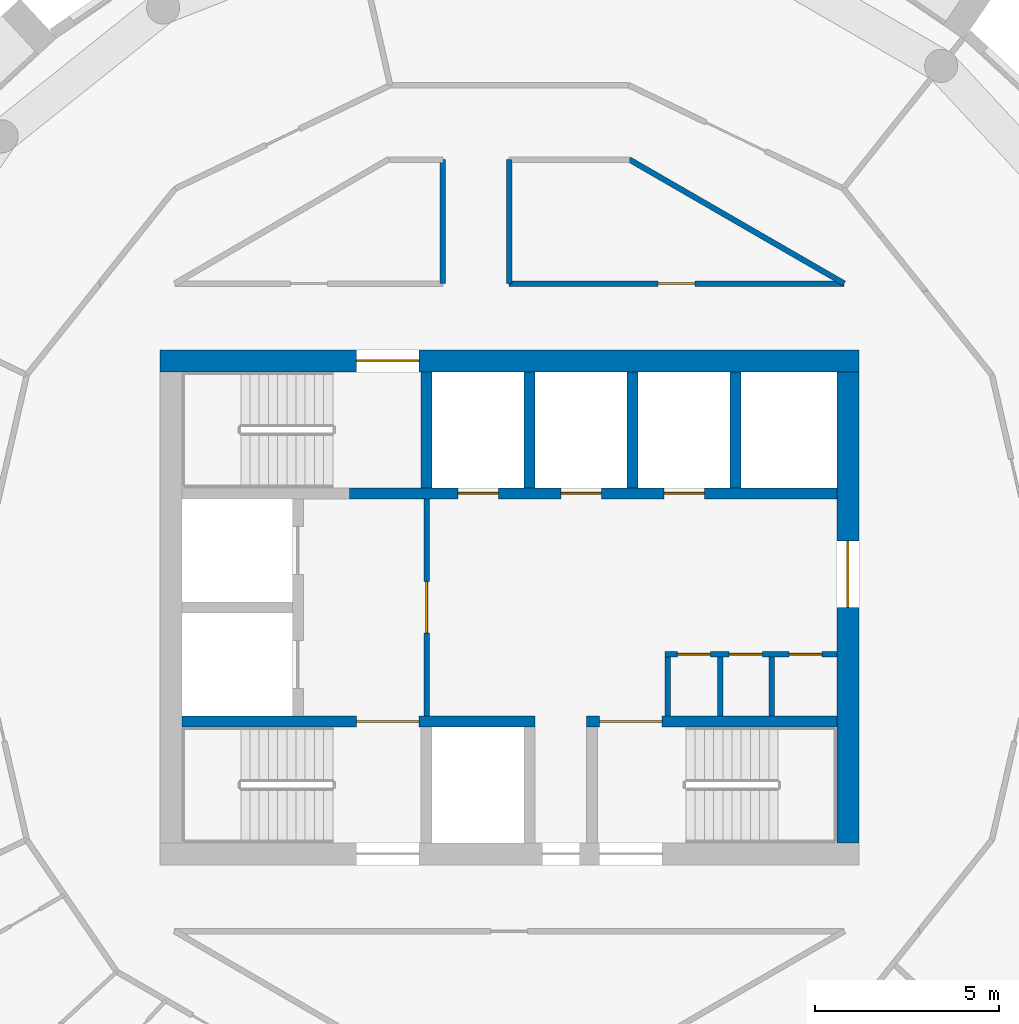
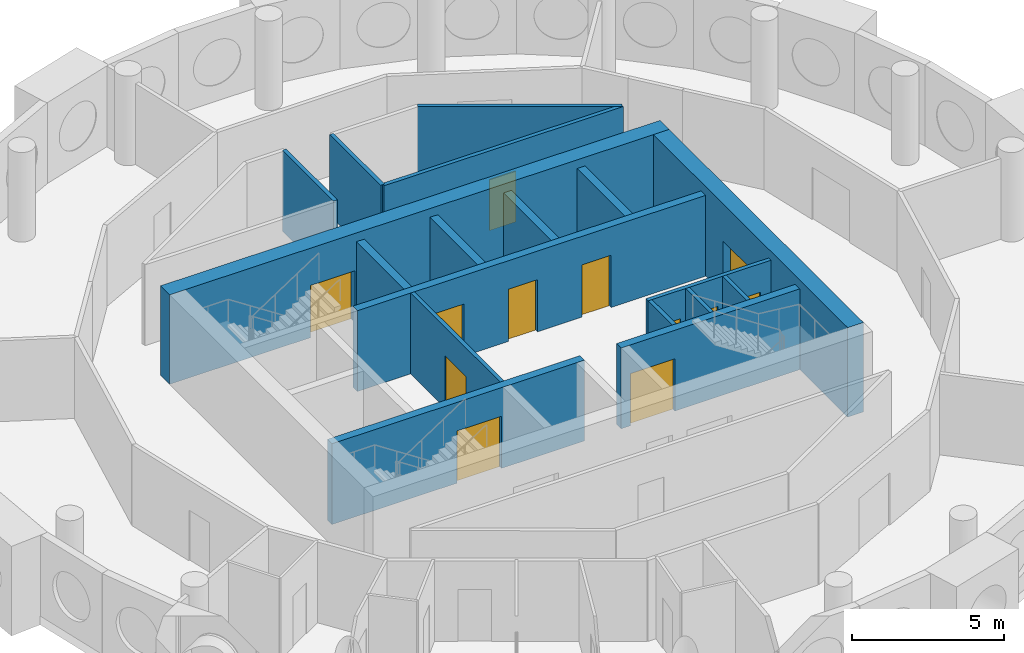
# One storey, part 7 of 12: 18 walls, 12 doors, 12 openings.
"""IFC4 building model written with IfcOpenShell, lengths in metres."""

from ifc_helpers import new_model, si_unit, direction, frame, frame_2d, origin, place, context, subcontext, project, spatial, rectangle, extrude, material, layer, layer_set, type_object, element, fill, save


model = new_model("IFC4")

# Units and contexts
model_context = context("Model", 3, precision=1e-05, world=origin(), true_north=direction((0.0, 1.0)))
body_context = subcontext(model_context, "Body", "Model", "MODEL_VIEW")
ifc_project = project(units=[si_unit("LENGTHUNIT", "METRE"), si_unit("AREAUNIT", "SQUARE_METRE"), si_unit("VOLUMEUNIT", "CUBIC_METRE"), si_unit("PLANEANGLEUNIT", "RADIAN"), si_unit("MASSUNIT", "GRAM", prefix="KILO")], contexts=[model_context])

# Site, building, storey
site_placement = place(None, origin())
site = spatial("IfcSite", under=ifc_project, at=site_placement, CompositionType="ELEMENT")
building_placement = place(site_placement, origin())
building = spatial("IfcBuilding", under=site, at=building_placement, Name="Tracery Tower", CompositionType="ELEMENT")
storey_placement = place(building_placement, frame((0.0, 0.0, 323.39990234375)))
storey = spatial("IfcBuildingStorey", under=building, at=storey_placement, Name="L84", CompositionType="ELEMENT", Elevation=323.39990234375)

# Wall, opening, door
ifc_material_1 = material(Name="Plasterboard on steel studs", Category="steel")
ifc_layer_1 = layer(ifc_material_1, 0.14990234375)
ifc_layer_set_1 = layer_set([ifc_layer_1], Name="Core lobby partition 150")
wall_type_1 = type_object("IfcWallType", Name="Core lobby partition 150", PredefinedType="SOLIDWALL", material=ifc_layer_set_1)
wall_1_placement = place(storey_placement, frame((-2.25, -2.949951171875, 0.0), z_axis=(0.0, 0.0, 1.0), x_axis=(0.0, 1.0, 0.0)))
wall_1 = element("IfcWall", 1, at=wall_1_placement, inside=storey, type_object=wall_type_1, Name="L84 FF lobby E", PredefinedType="SOLIDWALL", context=body_context, shape_type="SweptSolid", body=[
    extrude(rectangle(XDim=5.89990234375, YDim=0.14990234375, at=frame_2d((2.949951171875, 0.0))), origin(), (0.0, 0.0, 1.0), 3.25),
])
opening_1_placement = place(wall_1_placement, frame((2.25, 0.0, 0.0)))
opening_1 = element("IfcOpeningElement", 2, at=opening_1_placement, cuts=wall_1, Name="Opening KD8", PredefinedType="OPENING", context=body_context, shape_type="SweptSolid", body=[
    extrude(rectangle(XDim=1.39990234375, YDim=2.10009765625, at=frame_2d((0.699951171875, 1.050048828125))), frame((0.0, 0.074951171875, 0.0), z_axis=(0.0, -1.0, 0.0), x_axis=(1.0, 0.0, 0.0)), (0.0, 0.0, 1.0), 0.14990234375),
])
ifc_material_2 = material(Name="Steel fire door", Category="steel")
door_type_1 = type_object("IfcDoorType", Name="Core lobby door 1400 double", OperationType="NOTDEFINED", PredefinedType="DOOR", material=ifc_material_2)
door_1_placement = place(opening_1_placement, origin())
door_1 = element("IfcDoor", 3, at=door_1_placement, inside=storey, type_object=door_type_1, Name="Fire-fighting lobby door", OperationType="DOUBLE_DOOR_SINGLE_SWING", OverallHeight=2.10009765625, OverallWidth=1.39990234375, PredefinedType="DOOR", context=body_context, shape_type="SweptSolid", body=[
    extrude(rectangle(XDim=1.39990234375, YDim=2.10009765625, at=frame_2d((0.699951171875, 1.050048828125))), frame((0.0, 0.02490234375, 0.0), z_axis=(0.0, -1.0, 0.0), x_axis=(1.0, 0.0, 0.0)), (0.0, 0.0, 1.0), 0.050048828125),
])
fill(opening_1, door_1)

# Wall
ifc_material_3 = material(Name="Plasterboard on steel studs", Category="steel")
ifc_layer_2 = layer(ifc_material_3, 0.14990234375)
ifc_layer_set_2 = layer_set([ifc_layer_2], Name="Core room partition 150")
wall_type_2 = type_object("IfcWallType", Name="Core room partition 150", PredefinedType="SOLIDWALL", material=ifc_layer_set_2)
wall_2_placement = place(storey_placement, frame((4.300048828125, -2.949951171875, 0.0), z_axis=(0.0, 0.0, 1.0), x_axis=(0.0, 1.0, 0.0)))
element("IfcWall", 4, at=wall_2_placement, inside=storey, type_object=wall_type_2, Name="L84 slot W", PredefinedType="SOLIDWALL", context=body_context, shape_type="SweptSolid", body=[
    extrude(rectangle(XDim=1.599853515625, YDim=0.14990234375, at=frame_2d((0.7998046875, 0.0))), origin(), (0.0, 0.0, 1.0), 3.25),
])

# Wall, openings, doors
wall_3_placement = place(storey_placement, frame((4.22509765625, -1.27490234375, 0.0), z_axis=(0.0, 0.0, 1.0), x_axis=(1.0, 0.0, 0.0)))
wall_3 = element("IfcWall", 5, at=wall_3_placement, inside=storey, type_object=wall_type_2, Name="L84 slot N", PredefinedType="SOLIDWALL", context=body_context, shape_type="SweptSolid", body=[
    extrude(rectangle(XDim=4.6748046875, YDim=0.14990234375, at=frame_2d((2.33740234375, 0.0))), origin(), (0.0, 0.0, 1.0), 3.25),
])
opening_2_placement = place(wall_3_placement, frame((0.33740234375, 0.0, 0.0)))
opening_2 = element("IfcOpeningElement", 6, at=opening_2_placement, cuts=wall_3, Name="Opening KD27", PredefinedType="OPENING", context=body_context, shape_type="SweptSolid", body=[
    extrude(rectangle(XDim=0.89990234375, YDim=2.10009765625, at=frame_2d((0.449951171875, 1.050048828125))), frame((0.0, 0.074951171875, 0.0), z_axis=(0.0, -1.0, 0.0), x_axis=(1.0, 0.0, 0.0)), (0.0, 0.0, 1.0), 0.14990234375),
])
opening_3_placement = place(wall_3_placement, frame((1.75, 0.0, 0.0)))
opening_3 = element("IfcOpeningElement", 7, at=opening_3_placement, cuts=wall_3, Name="Opening KD26", PredefinedType="OPENING", context=body_context, shape_type="SweptSolid", body=[
    extrude(rectangle(XDim=0.89990234375, YDim=2.10009765625, at=frame_2d((0.449951171875, 1.050048828125))), frame((0.0, 0.074951171875, 0.0), z_axis=(0.0, -1.0, 0.0), x_axis=(1.0, 0.0, 0.0)), (0.0, 0.0, 1.0), 0.14990234375),
])
opening_4_placement = place(wall_3_placement, frame((3.375, 0.0, 0.0)))
opening_4 = element("IfcOpeningElement", 8, at=opening_4_placement, cuts=wall_3, Name="Opening KD22", PredefinedType="OPENING", context=body_context, shape_type="SweptSolid", body=[
    extrude(rectangle(XDim=0.89990234375, YDim=2.10009765625, at=frame_2d((0.449951171875, 1.050048828125))), frame((0.0, 0.074951171875, 0.0), z_axis=(0.0, -1.0, 0.0), x_axis=(1.0, 0.0, 0.0)), (0.0, 0.0, 1.0), 0.14990234375),
])
ifc_material_4 = material(Name="Timber door leaf", Category="wood")
door_type_2 = type_object("IfcDoorType", Name="Core WC door 900", OperationType="NOTDEFINED", PredefinedType="DOOR", material=ifc_material_4)
door_2_placement = place(opening_4_placement, origin())
door_2 = element("IfcDoor", 9, at=door_2_placement, inside=storey, type_object=door_type_2, Name="Core door", OperationType="SINGLE_SWING_RIGHT", OverallHeight=2.10009765625, OverallWidth=0.89990234375, PredefinedType="DOOR", context=body_context, shape_type="SweptSolid", body=[
    extrude(rectangle(XDim=0.89990234375, YDim=2.10009765625, at=frame_2d((0.449951171875, 1.050048828125))), frame((0.0, 0.02490234375, 0.0), z_axis=(0.0, -1.0, 0.0), x_axis=(1.0, 0.0, 0.0)), (0.0, 0.0, 1.0), 0.050048828125),
])
fill(opening_4, door_2)
ifc_material_5 = material(Name="Timber door leaf", Category="wood")
door_type_3 = type_object("IfcDoorType", Name="Core store door 900", OperationType="NOTDEFINED", PredefinedType="DOOR", material=ifc_material_5)
door_3_placement = place(opening_2_placement, origin())
door_3 = element("IfcDoor", 10, at=door_3_placement, inside=storey, type_object=door_type_3, Name="Core door", OperationType="SINGLE_SWING_RIGHT", OverallHeight=2.10009765625, OverallWidth=0.89990234375, PredefinedType="DOOR", context=body_context, shape_type="SweptSolid", body=[
    extrude(rectangle(XDim=0.89990234375, YDim=2.10009765625, at=frame_2d((0.449951171875, 1.050048828125))), frame((0.0, 0.02490234375, 0.0), z_axis=(0.0, -1.0, 0.0), x_axis=(1.0, 0.0, 0.0)), (0.0, 0.0, 1.0), 0.050048828125),
])
fill(opening_2, door_3)
door_4_placement = place(opening_3_placement, origin())
door_4 = element("IfcDoor", 11, at=door_4_placement, inside=storey, type_object=door_type_3, Name="Core door", OperationType="SINGLE_SWING_LEFT", OverallHeight=2.10009765625, OverallWidth=0.89990234375, PredefinedType="DOOR", context=body_context, shape_type="SweptSolid", body=[
    extrude(rectangle(XDim=0.89990234375, YDim=2.10009765625, at=frame_2d((0.449951171875, 1.050048828125))), frame((0.0, 0.02490234375, 0.0), z_axis=(0.0, -1.0, 0.0), x_axis=(1.0, 0.0, 0.0)), (0.0, 0.0, 1.0), 0.050048828125),
])
fill(opening_3, door_4)

# Walls
for number, where, z_axis, x_axis, name in (
    (12, (5.72509765625, -2.949951171875, 0.0), (0.0, 0.0, 1.0), (0.0, 1.0, 0.0), "L84 slot sep 1"),
    (13, (7.125, -2.949951171875, 0.0), (0.0, 0.0, 1.0), (0.0, 1.0, 0.0), "L84 slot sep 2"),
):
    element("IfcWall", number, at=place(storey_placement, frame(where, z_axis=z_axis, x_axis=x_axis)), inside=storey, type_object=wall_type_2, Name=name, PredefinedType="SOLIDWALL", context=body_context, shape_type="SweptSolid", body=[
        extrude(rectangle(XDim=1.599853515625, YDim=0.14990234375, at=frame_2d((0.7998046875, 0.0))), origin(), (0.0, 0.0, 1.0), 3.25),
    ])

# Wall, opening, door
ifc_material_6 = material(Name="Concrete C40/50", Category="concrete")
ifc_layer_3 = layer(ifc_material_6, 0.60009765625)
ifc_layer_set_3 = layer_set([ifc_layer_3], Name="Core wall 600 C40")
wall_type_3 = type_object("IfcWallType", Name="Core wall 600 C40", PredefinedType="SOLIDWALL", material=ifc_layer_set_3)
wall_4_placement = place(storey_placement, frame((-9.5, 6.699951171875, 0.0), z_axis=(0.0, 0.0, 1.0), x_axis=(1.0, 0.0, 0.0)))
wall_4 = element("IfcWall", 14, at=wall_4_placement, inside=storey, type_object=wall_type_3, Name="L84 outer N", PredefinedType="SOLIDWALL", context=body_context, shape_type="SweptSolid", body=[
    extrude(rectangle(XDim=19.0, YDim=0.60009765625, at=frame_2d((9.5, 0.0))), origin(), (0.0, 0.0, 1.0), 3.60009765625),
])
opening_5_placement = place(wall_4_placement, frame((5.35009765625, 0.0, 0.0)))
opening_5 = element("IfcOpeningElement", 15, at=opening_5_placement, cuts=wall_4, Name="Opening KD3", PredefinedType="OPENING", context=body_context, shape_type="SweptSolid", body=[
    extrude(rectangle(XDim=1.699951171875, YDim=2.10009765625, at=frame_2d((0.85009765625, 1.050048828125))), frame((0.0, 0.300048828125, 0.0), z_axis=(0.0, -1.0, 0.0), x_axis=(1.0, 0.0, 0.0)), (0.0, 0.0, 1.0), 0.60009765625),
])
ifc_material_7 = material(Name="Steel fire door", Category="steel")
door_type_4 = type_object("IfcDoorType", Name="Core stair door 1700 double", OperationType="NOTDEFINED", PredefinedType="DOOR", material=ifc_material_7)
door_5_placement = place(opening_5_placement, origin())
door_5 = element("IfcDoor", 16, at=door_5_placement, inside=storey, type_object=door_type_4, Name="Stair door ST3 exit", OperationType="DOUBLE_DOOR_SINGLE_SWING", OverallHeight=2.10009765625, OverallWidth=1.699951171875, PredefinedType="DOOR", context=body_context, shape_type="SweptSolid", body=[
    extrude(rectangle(XDim=1.699951171875, YDim=2.10009765625, at=frame_2d((0.85009765625, 1.050048828125))), frame((0.0, 0.02490234375, 0.0), z_axis=(0.0, -1.0, 0.0), x_axis=(1.0, 0.0, 0.0)), (0.0, 0.0, 1.0), 0.050048828125),
])
fill(opening_5, door_5)

wall_5_placement = place(storey_placement, frame((9.199951171875, -6.39990234375, 0.0), z_axis=(0.0, 0.0, 1.0), x_axis=(0.0, 1.0, 0.0)))
wall_5 = element("IfcWall", 17, at=wall_5_placement, inside=storey, type_object=wall_type_3, Name="L84 outer E", PredefinedType="SOLIDWALL", context=body_context, shape_type="SweptSolid", body=[
    extrude(rectangle(XDim=12.7998046875, YDim=0.60009765625, at=frame_2d((6.39990234375, 0.0))), origin(), (0.0, 0.0, 1.0), 3.60009765625),
])
opening_6_placement = place(wall_5_placement, frame((6.39990234375, 0.0, 0.0)))
opening_6 = element("IfcOpeningElement", 18, at=opening_6_placement, cuts=wall_5, Name="Opening KD13", PredefinedType="OPENING", context=body_context, shape_type="SweptSolid", body=[
    extrude(rectangle(XDim=1.800048828125, YDim=2.10009765625, at=frame_2d((0.89990234375, 1.050048828125))), frame((0.0, 0.300048828125, 0.0), z_axis=(0.0, -1.0, 0.0), x_axis=(1.0, 0.0, 0.0)), (0.0, 0.0, 1.0), 0.60009765625),
])
ifc_material_8 = material(Name="Steel fire door", Category="steel")
door_type_5 = type_object("IfcDoorType", Name="Core exit door 1800 double", OperationType="NOTDEFINED", PredefinedType="DOOR", material=ifc_material_8)
door_6_placement = place(opening_6_placement, origin())
door_6 = element("IfcDoor", 19, at=door_6_placement, inside=storey, type_object=door_type_5, Name="Core exit door", OperationType="DOUBLE_DOOR_SINGLE_SWING", OverallHeight=2.10009765625, OverallWidth=1.800048828125, PredefinedType="DOOR", context=body_context, shape_type="SweptSolid", body=[
    extrude(rectangle(XDim=1.800048828125, YDim=2.10009765625, at=frame_2d((0.89990234375, 1.050048828125))), frame((0.0, 0.02490234375, 0.0), z_axis=(0.0, -1.0, 0.0), x_axis=(1.0, 0.0, 0.0)), (0.0, 0.0, 1.0), 0.050048828125),
])
fill(opening_6, door_6)

ifc_material_9 = material(Name="Plasterboard on steel studs", Category="steel")
ifc_layer_4 = layer(ifc_material_9, 0.14990234375)
ifc_layer_set_4 = layer_set([ifc_layer_4], Name="Partition 150 corridor wall")
wall_type_4 = type_object("IfcWallType", Name="Partition 150 corridor wall", PredefinedType="PARTITIONING", material=ifc_layer_set_4)
wall_6_placement = place(storey_placement, frame((-0.013916015625, 8.800048828125, 0.0), z_axis=(0.0, 0.0, 1.0), x_axis=(1.0, 0.0, 0.0)))
wall_6 = element("IfcWall", 20, at=wall_6_placement, inside=storey, type_object=wall_type_4, Name="Corridor wall RC10-003", PredefinedType="PARTITIONING", context=body_context, shape_type="SweptSolid", body=[
    extrude(rectangle(XDim=9.114501953125, YDim=0.14990234375, at=frame_2d((4.55712890625, 0.0))), origin(), (0.0, 0.0, 1.0), 3.25),
])
opening_7_placement = place(wall_6_placement, frame((4.052978515625, 0.0, 0.0)))
opening_7 = element("IfcOpeningElement", 21, at=opening_7_placement, cuts=wall_6, Name="Opening RC10-02", PredefinedType="OPENING", context=body_context, shape_type="SweptSolid", body=[
    extrude(rectangle(XDim=1.0, YDim=2.0400390625, at=frame_2d((0.5, 1.02001953125))), frame((0.0, 0.074951171875, 0.0), z_axis=(0.0, -1.0, 0.0), x_axis=(1.0, 0.0, 0.0)), (0.0, 0.0, 1.0), 0.14990234375),
])
ifc_material_10 = material(Name="Timber door leaf", Category="wood")
door_type_6 = type_object("IfcDoorType", Name="Door communal room 1000", OperationType="NOTDEFINED", PredefinedType="DOOR", material=ifc_material_10)
door_7_placement = place(opening_7_placement, origin())
door_7 = element("IfcDoor", 22, at=door_7_placement, inside=storey, type_object=door_type_6, Name="Communal room door RC10-02", OperationType="SINGLE_SWING_RIGHT", OverallHeight=2.0400390625, OverallWidth=1.0, PredefinedType="DOOR", context=body_context, shape_type="SweptSolid", body=[
    extrude(rectangle(XDim=1.0, YDim=2.0400390625, at=frame_2d((0.5, 1.02001953125))), frame((0.0, 0.02490234375, 0.0), z_axis=(0.0, -1.0, 0.0), x_axis=(1.0, 0.0, 0.0)), (0.0, 0.0, 1.0), 0.050048828125),
])
fill(opening_7, door_7)

# Walls
wall_7_placement = place(storey_placement, frame((-1.81005859375, 8.800048828125, 0.0), z_axis=(0.0, 0.0, 1.0), x_axis=(0.0, 1.0, 0.0)))
element("IfcWall", 23, at=wall_7_placement, inside=storey, type_object=wall_type_4, Name="Corridor wall RC10-020", PredefinedType="PARTITIONING", context=body_context, shape_type="SweptSolid", body=[
    extrude(rectangle(XDim=3.370849609375, YDim=0.14990234375, at=frame_2d((1.685546875, 0.0))), origin(), (0.0, 0.0, 1.0), 3.25),
])
wall_8_placement = place(storey_placement, frame((3.260986328125, 12.1708984375, 0.0), z_axis=(0.0, 0.0, 1.0), x_axis=(0.866066809554, -0.499928276245, 0.0)))
element("IfcWall", 24, at=wall_8_placement, inside=storey, type_object=wall_type_4, Name="Corridor wall RC10-022", PredefinedType="PARTITIONING", context=body_context, shape_type="SweptSolid", body=[
    extrude(rectangle(XDim=6.74267578125, YDim=0.14990234375, at=frame_2d((3.371337890625, 0.0))), origin(), (0.0, 0.0, 1.0), 3.25),
])
wall_9_placement = place(storey_placement, frame((-0.010009765625, 8.800048828125, 0.0), z_axis=(0.0, 0.0, 1.0), x_axis=(0.0, 1.0, 0.0)))
element("IfcWall", 25, at=wall_9_placement, inside=storey, type_object=wall_type_4, Name="Corridor wall RC10-024", PredefinedType="PARTITIONING", context=body_context, shape_type="SweptSolid", body=[
    extrude(rectangle(XDim=3.370849609375, YDim=0.14990234375, at=frame_2d((1.685546875, 0.0))), origin(), (0.0, 0.0, 1.0), 3.25),
])
ifc_material_11 = material(Name="Concrete C40/50", Category="concrete")
ifc_layer_5 = layer(ifc_material_11, 0.300048828125)
ifc_layer_set_5 = layer_set([ifc_layer_5], Name="Shaft wall 300 C40")
wall_type_5 = type_object("IfcWallType", Name="Shaft wall 300 C40", PredefinedType="SOLIDWALL", material=ifc_layer_set_5)
for number, where, z_axis, x_axis, name in (
    (26, (0.550048828125, 3.25, 0.0), (0.0, 0.0, 1.0), (0.0, 1.0, 0.0), "L84 HR sep 1"),
    (27, (3.35009765625, 3.25, 0.0), (0.0, 0.0, 1.0), (0.0, 1.0, 0.0), "L84 HR sep 2"),
    (28, (6.14990234375, 3.25, 0.0), (0.0, 0.0, 1.0), (0.0, 1.0, 0.0), "L84 HR sep 3"),
):
    element("IfcWall", number, at=place(storey_placement, frame(where, z_axis=z_axis, x_axis=x_axis)), inside=storey, type_object=wall_type_5, Name=name, PredefinedType="SOLIDWALL", context=body_context, shape_type="SweptSolid", body=[
        extrude(rectangle(XDim=3.14990234375, YDim=0.300048828125, at=frame_2d((1.574951171875, 0.0))), origin(), (0.0, 0.0, 1.0), 3.25),
    ])

# Wall, opening, door
ifc_material_12 = material(Name="Concrete C40/50", Category="concrete")
ifc_layer_6 = layer(ifc_material_12, 0.300048828125)
ifc_layer_set_6 = layer_set([ifc_layer_6], Name="Stair wall 300 C40")
wall_type_6 = type_object("IfcWallType", Name="Stair wall 300 C40", PredefinedType="SOLIDWALL", material=ifc_layer_set_6)
wall_10_placement = place(storey_placement, frame((-8.89990234375, -3.10009765625, 0.0), z_axis=(0.0, 0.0, 1.0), x_axis=(1.0, 0.0, 0.0)))
wall_10 = element("IfcWall", 29, at=wall_10_placement, inside=storey, type_object=wall_type_6, Name="L84 row S", PredefinedType="SOLIDWALL", context=body_context, shape_type="SweptSolid", body=[
    extrude(rectangle(XDim=9.599853515625, YDim=0.300048828125, at=frame_2d((4.7998046875, 0.0))), origin(), (0.0, 0.0, 1.0), 3.25),
])
opening_8_placement = place(wall_10_placement, frame((4.75, 0.0, 0.0)))
opening_8 = element("IfcOpeningElement", 30, at=opening_8_placement, cuts=wall_10, Name="Opening KD3", PredefinedType="OPENING", context=body_context, shape_type="SweptSolid", body=[
    extrude(rectangle(XDim=1.699951171875, YDim=2.10009765625, at=frame_2d((0.85009765625, 1.050048828125))), frame((0.0, 0.14990234375, 0.0), z_axis=(0.0, -1.0, 0.0), x_axis=(1.0, 0.0, 0.0)), (0.0, 0.0, 1.0), 0.300048828125),
])
door_8_placement = place(opening_8_placement, origin())
door_8 = element("IfcDoor", 31, at=door_8_placement, inside=storey, type_object=door_type_4, Name="Stair door ST1", OperationType="DOUBLE_DOOR_SINGLE_SWING", OverallHeight=2.10009765625, OverallWidth=1.699951171875, PredefinedType="DOOR", context=body_context, shape_type="SweptSolid", body=[
    extrude(rectangle(XDim=1.699951171875, YDim=2.10009765625, at=frame_2d((0.85009765625, 1.050048828125))), frame((0.0, 0.02490234375, 0.0), z_axis=(0.0, -1.0, 0.0), x_axis=(1.0, 0.0, 0.0)), (0.0, 0.0, 1.0), 0.050048828125),
])
fill(opening_8, door_8)

wall_11_placement = place(storey_placement, frame((2.10009765625, -3.10009765625, 0.0), z_axis=(0.0, 0.0, 1.0), x_axis=(1.0, 0.0, 0.0)))
wall_11 = element("IfcWall", 32, at=wall_11_placement, inside=storey, type_object=wall_type_6, Name="L84 row S E", PredefinedType="SOLIDWALL", context=body_context, shape_type="SweptSolid", body=[
    extrude(rectangle(XDim=6.7998046875, YDim=0.300048828125, at=frame_2d((3.39990234375, 0.0))), origin(), (0.0, 0.0, 1.0), 3.25),
])
opening_9_placement = place(wall_11_placement, frame((0.35009765625, 0.0, 0.0)))
opening_9 = element("IfcOpeningElement", 33, at=opening_9_placement, cuts=wall_11, Name="Opening KD3", PredefinedType="OPENING", context=body_context, shape_type="SweptSolid", body=[
    extrude(rectangle(XDim=1.699951171875, YDim=2.10009765625, at=frame_2d((0.85009765625, 1.050048828125))), frame((0.0, 0.14990234375, 0.0), z_axis=(0.0, -1.0, 0.0), x_axis=(1.0, 0.0, 0.0)), (0.0, 0.0, 1.0), 0.300048828125),
])
door_9_placement = place(opening_9_placement, origin())
door_9 = element("IfcDoor", 34, at=door_9_placement, inside=storey, type_object=door_type_4, Name="Stair door ST2", OperationType="DOUBLE_DOOR_SINGLE_SWING", OverallHeight=2.10009765625, OverallWidth=1.699951171875, PredefinedType="DOOR", context=body_context, shape_type="SweptSolid", body=[
    extrude(rectangle(XDim=1.699951171875, YDim=2.10009765625, at=frame_2d((0.85009765625, 1.050048828125))), frame((0.0, 0.02490234375, 0.0), z_axis=(0.0, -1.0, 0.0), x_axis=(1.0, 0.0, 0.0)), (0.0, 0.0, 1.0), 0.050048828125),
])
fill(opening_9, door_9)

# Wall, openings, doors
wall_12_placement = place(storey_placement, frame((-4.35009765625, 3.10009765625, 0.0), z_axis=(0.0, 0.0, 1.0), x_axis=(1.0, 0.0, 0.0)))
wall_12 = element("IfcWall", 35, at=wall_12_placement, inside=storey, type_object=wall_type_6, Name="L84 row N", PredefinedType="SOLIDWALL", context=body_context, shape_type="SweptSolid", body=[
    extrude(rectangle(XDim=13.25, YDim=0.300048828125, at=frame_2d((6.625, 0.0))), origin(), (0.0, 0.0, 1.0), 3.25),
])
opening_10_placement = place(wall_12_placement, frame((2.949951171875, 0.0, 0.0)))
opening_10 = element("IfcOpeningElement", 36, at=opening_10_placement, cuts=wall_12, Name="Opening KD49", PredefinedType="OPENING", context=body_context, shape_type="SweptSolid", body=[
    extrude(rectangle(XDim=1.10009765625, YDim=2.10009765625, at=frame_2d((0.550048828125, 1.050048828125))), frame((0.0, 0.14990234375, 0.0), z_axis=(0.0, -1.0, 0.0), x_axis=(1.0, 0.0, 0.0)), (0.0, 0.0, 1.0), 0.300048828125),
])
opening_11_placement = place(wall_12_placement, frame((5.75, 0.0, 0.0)))
opening_11 = element("IfcOpeningElement", 37, at=opening_11_placement, cuts=wall_12, Name="Opening KD50", PredefinedType="OPENING", context=body_context, shape_type="SweptSolid", body=[
    extrude(rectangle(XDim=1.10009765625, YDim=2.10009765625, at=frame_2d((0.550048828125, 1.050048828125))), frame((0.0, 0.14990234375, 0.0), z_axis=(0.0, -1.0, 0.0), x_axis=(1.0, 0.0, 0.0)), (0.0, 0.0, 1.0), 0.300048828125),
])
opening_12_placement = place(wall_12_placement, frame((8.550048828125, 0.0, 0.0)))
opening_12 = element("IfcOpeningElement", 38, at=opening_12_placement, cuts=wall_12, Name="Opening KD49", PredefinedType="OPENING", context=body_context, shape_type="SweptSolid", body=[
    extrude(rectangle(XDim=1.10009765625, YDim=2.10009765625, at=frame_2d((0.550048828125, 1.050048828125))), frame((0.0, 0.14990234375, 0.0), z_axis=(0.0, -1.0, 0.0), x_axis=(1.0, 0.0, 0.0)), (0.0, 0.0, 1.0), 0.300048828125),
])
ifc_material_13 = material(Name="Steel fire door", Category="steel")
door_type_7 = type_object("IfcDoorType", Name="Landing door 1100", OperationType="NOTDEFINED", PredefinedType="DOOR", material=ifc_material_13)
door_10_placement = place(opening_10_placement, origin())
door_10 = element("IfcDoor", 39, at=door_10_placement, inside=storey, type_object=door_type_7, Name="Landing door HR1", OperationType="SLIDING_TO_LEFT", OverallHeight=2.10009765625, OverallWidth=1.10009765625, PredefinedType="DOOR", context=body_context, shape_type="SweptSolid", body=[
    extrude(rectangle(XDim=1.10009765625, YDim=2.10009765625, at=frame_2d((0.550048828125, 1.050048828125))), frame((0.0, 0.02490234375, 0.0), z_axis=(0.0, -1.0, 0.0), x_axis=(1.0, 0.0, 0.0)), (0.0, 0.0, 1.0), 0.050048828125),
])
fill(opening_10, door_10)
door_11_placement = place(opening_11_placement, origin())
door_11 = element("IfcDoor", 40, at=door_11_placement, inside=storey, type_object=door_type_7, Name="Landing door HR2", OperationType="SLIDING_TO_RIGHT", OverallHeight=2.10009765625, OverallWidth=1.10009765625, PredefinedType="DOOR", context=body_context, shape_type="SweptSolid", body=[
    extrude(rectangle(XDim=1.10009765625, YDim=2.10009765625, at=frame_2d((0.550048828125, 1.050048828125))), frame((0.0, 0.02490234375, 0.0), z_axis=(0.0, -1.0, 0.0), x_axis=(1.0, 0.0, 0.0)), (0.0, 0.0, 1.0), 0.050048828125),
])
fill(opening_11, door_11)
door_12_placement = place(opening_12_placement, origin())
door_12 = element("IfcDoor", 41, at=door_12_placement, inside=storey, type_object=door_type_7, Name="Landing door HR3", OperationType="SLIDING_TO_LEFT", OverallHeight=2.10009765625, OverallWidth=1.10009765625, PredefinedType="DOOR", context=body_context, shape_type="SweptSolid", body=[
    extrude(rectangle(XDim=1.10009765625, YDim=2.10009765625, at=frame_2d((0.550048828125, 1.050048828125))), frame((0.0, 0.02490234375, 0.0), z_axis=(0.0, -1.0, 0.0), x_axis=(1.0, 0.0, 0.0)), (0.0, 0.0, 1.0), 0.050048828125),
])
fill(opening_12, door_12)

# Wall
wall_13_placement = place(storey_placement, frame((-2.25, 3.25, 0.0), z_axis=(0.0, 0.0, 1.0), x_axis=(0.0, 1.0, 0.0)))
element("IfcWall", 42, at=wall_13_placement, inside=storey, type_object=wall_type_6, Name="L84 ST3 E", PredefinedType="SOLIDWALL", context=body_context, shape_type="SweptSolid", body=[
    extrude(rectangle(XDim=3.14990234375, YDim=0.300048828125, at=frame_2d((1.574951171875, 0.0))), origin(), (0.0, 0.0, 1.0), 3.25),
])

save(model, "model.ifc")
